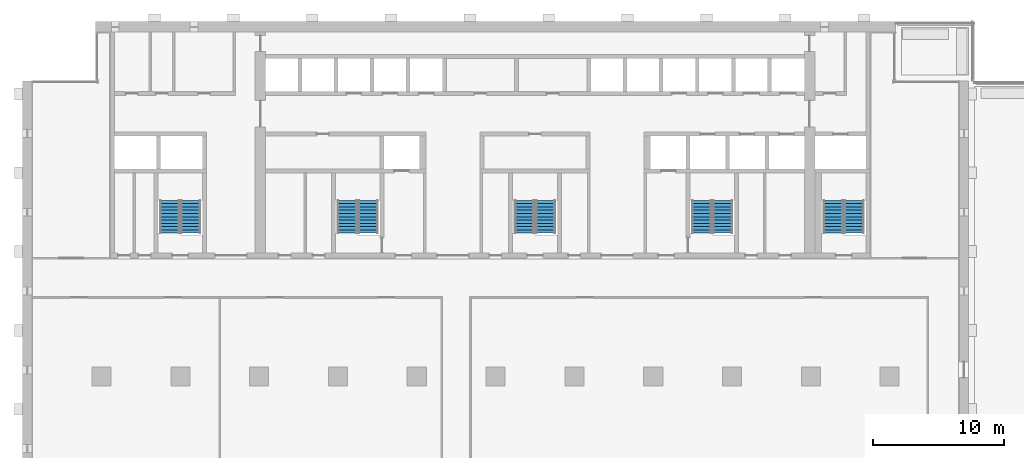
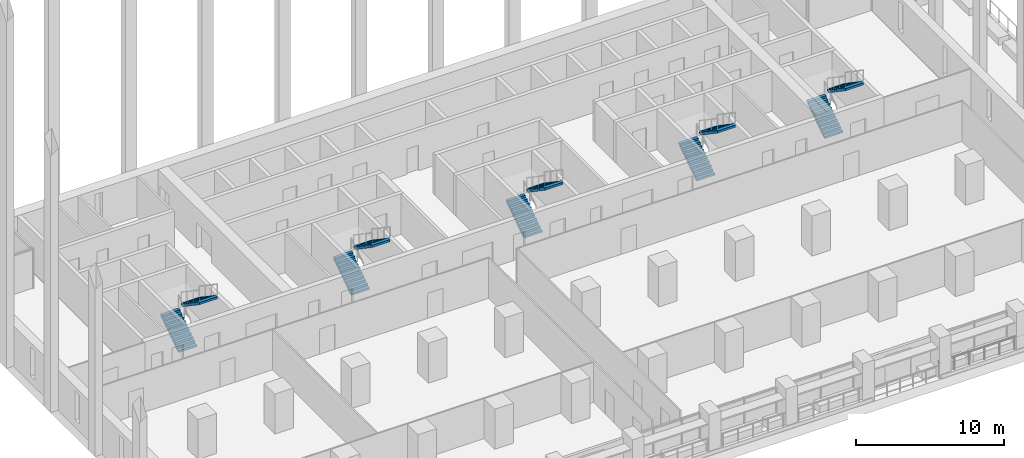
# One storey, part 12 of 18: 10 stair flights, 5 elements without a shape of their own.
"""IFC4 building model written with IfcOpenShell, lengths in metres."""

import ifcopenshell
import ifcopenshell.guid

model = None  # the IFC model being written
_history = None  # IfcOwnerHistory: only IFC2X3 demands one
_inside = {}  # id of a spatial element -> (the spatial element, [elements in it])
_under = {}  # id of a project, library or spatial element -> (it, [spatial elements below it])
_declared = {}  # id of a project -> (the project, [libraries it declares])
_typed = {}  # id of a type object -> (the type object, [elements of that type])
_made_of = {}  # id of a material, layer set ... -> (it, [elements and type objects made of it])


def new_model(schema):
    """Start an empty IFC model of exactly this schema.

    Asked for "IFC4X3", IfcOpenShell would pick the latest addendum, in which some entities
    have other attributes; the version numbers below select the first issue.
    IFC2X3 requires an IfcOwnerHistory on every rooted entity: one is made here for all.
    """
    global model, _history
    if schema == "IFC4X3":
        model = ifcopenshell.file(schema_version=(4, 3, 0, 0))
    else:
        model = ifcopenshell.file(schema=schema)
    _inside.clear()
    _under.clear()
    _declared.clear()
    _typed.clear()
    _made_of.clear()
    _history = None
    if model.schema == "IFC2X3":
        org = make("IfcOrganization", Name="unknown")
        user = make(
            "IfcPersonAndOrganization",
            ThePerson=make("IfcPerson", FamilyName="unknown"),
            TheOrganization=org,
        )
        app = make(
            "IfcApplication",
            ApplicationDeveloper=org,
            Version="unknown",
            ApplicationFullName="unknown",
            ApplicationIdentifier="unknown",
        )
        _history = make(
            "IfcOwnerHistory",
            OwningUser=user,
            OwningApplication=app,
            ChangeAction="ADDED",
            CreationDate=0,
        )
    return model


def make(cls, **values):
    """One entity of the class cls with the attributes given. An attribute that is None is left unset."""
    return model.create_entity(
        cls, **{name: value for name, value in values.items() if value is not None}
    )


def rooted(cls, **values):
    """An entity with a GlobalId (a new one), such as an element, a storey or a relation."""
    return make(cls, GlobalId=ifcopenshell.guid.new(), OwnerHistory=_history, **values)


def si_unit(unit_type, name, prefix=None):
    """IfcSIUnit, for example si_unit("LENGTHUNIT", "METRE", prefix="MILLI")."""
    return make("IfcSIUnit", UnitType=unit_type, Prefix=prefix, Name=name)


def assignment(units):
    """IfcUnitAssignment: the units of a project."""
    return None if units is None else make("IfcUnitAssignment", Units=units)


def point(xyz):
    """IfcCartesianPoint."""
    return None if xyz is None else make("IfcCartesianPoint", Coordinates=xyz)


def direction(xyz):
    """IfcDirection."""
    return None if xyz is None else make("IfcDirection", DirectionRatios=xyz)


def frame(location, z_axis=None, x_axis=None):
    """IfcAxis2Placement3D, a coordinate frame: its origin and axes. An axis left out is left unset."""
    return make(
        "IfcAxis2Placement3D",
        Location=point(location),
        Axis=direction(z_axis),
        RefDirection=direction(x_axis),
    )


def origin():
    """The frame at (0, 0, 0) with its axes left unset."""
    return frame((0.0, 0.0, 0.0))


def place(relative_to, where):
    """IfcLocalPlacement: puts the frame where relative to a parent placement (None: the world)."""
    return make(
        "IfcLocalPlacement", PlacementRelTo=relative_to, RelativePlacement=where
    )


def context(
    kind, dimensions, precision=None, world=None, true_north=None, identifier=None
):
    """IfcGeometricRepresentationContext, for example the 3D "Model" context."""
    return make(
        "IfcGeometricRepresentationContext",
        ContextIdentifier=identifier,
        ContextType=kind,
        CoordinateSpaceDimension=dimensions,
        Precision=precision,
        WorldCoordinateSystem=world,
        TrueNorth=true_north,
    )


def subcontext(parent, identifier, kind, view, scale=None):
    """IfcGeometricRepresentationSubContext, for example "Body" below "Model"."""
    return make(
        "IfcGeometricRepresentationSubContext",
        ContextIdentifier=identifier,
        ContextType=kind,
        ParentContext=parent,
        TargetScale=scale,
        TargetView=view,
    )


def project(units=None, contexts=None):
    """IfcProject with its units and contexts."""
    return rooted(
        "IfcProject",
        Name="project",
        RepresentationContexts=contexts,
        UnitsInContext=assignment(units),
    )


def spatial(cls, under=None, at=None, **own):
    """A site, building, storey or space (cls), placed at a placement, below another one or the project."""
    s = rooted(cls, ObjectPlacement=at, **own)
    if under is not None:
        _under.setdefault(under.id(), (under, []))[1].append(s)
    return s


def polyline(points):
    """IfcPolyline through the points."""
    return make("IfcPolyline", Points=[point(p) for p in points])


def outline(outer, holes=None, kind="AREA"):
    """IfcArbitraryClosedProfileDef: a profile drawn as a closed curve; with holes, ...WithVoids."""
    if holes is None:
        return make("IfcArbitraryClosedProfileDef", ProfileType=kind, OuterCurve=outer)
    return make(
        "IfcArbitraryProfileDefWithVoids",
        ProfileType=kind,
        OuterCurve=outer,
        InnerCurves=holes,
    )


def extrude(swept, where, along, depth):
    """IfcExtrudedAreaSolid: the profile swept, set in the frame where, extruded along a direction by depth."""
    return make(
        "IfcExtrudedAreaSolid",
        SweptArea=swept,
        Position=where,
        ExtrudedDirection=direction(along),
        Depth=depth,
    )


def shape(context_of_items, identifier, shape_type, items):
    """IfcShapeRepresentation: the items that make up one representation, for example the "Body"."""
    return make(
        "IfcShapeRepresentation",
        ContextOfItems=context_of_items,
        RepresentationIdentifier=identifier,
        RepresentationType=shape_type,
        Items=items,
    )


def material(Name=None, Category=None):
    """IfcMaterial."""
    return make("IfcMaterial", Name=Name, Category=Category)


def made_of(thing, what):
    """Note that an element or type object is made of a material, layer set ...; save() writes the relation."""
    if what is not None:
        _made_of.setdefault(what.id(), (what, []))[1].append(thing)
    return thing


def type_object(cls, material=None, **own):
    """A type object (cls), such as IfcWallType, which elements share."""
    return made_of(rooted(cls, **own), material)


def element(
    cls,
    number,
    at=None,
    inside=None,
    cuts=None,
    type_object=None,
    material=None,
    context=None,
    identifier="Body",
    shape_type=None,
    held_by="IfcProductDefinitionShape",
    body=None,
    shapes=None,
    **own,
):
    """One element of the class cls, such as IfcWall. Its Tag is "e" and its number.

    at: its placement. inside: the storey or other place that contains it. cuts: it is an
    opening in that element (IfcRelVoidsElement). A single representation is given by context,
    identifier, shape_type and body (its items); several are given by shapes. held_by: the class
    of the entity that holds the representations. save() writes the other relations.
    """
    e = rooted(cls, Tag="e%d" % number, ObjectPlacement=at, **own)
    if body is not None:
        shapes = [shape(context, identifier, shape_type, body)]
    if shapes is not None:
        e.Representation = make(held_by, Representations=shapes)
    if inside is not None:
        _inside.setdefault(inside.id(), (inside, []))[1].append(e)
    if cuts is not None:
        rooted(
            "IfcRelVoidsElement", RelatingBuildingElement=cuts, RelatedOpeningElement=e
        )
    if type_object is not None:
        _typed.setdefault(type_object.id(), (type_object, []))[1].append(e)
    return made_of(e, material)


def aggregate(whole, parts):
    """IfcRelAggregates: a whole, such as a stair, and the parts it consists of."""
    return rooted("IfcRelAggregates", RelatingObject=whole, RelatedObjects=parts)


def save(model, path):
    """Write the relations noted so far, then the file.

    IfcRelAggregates (storeys below a building ...), IfcRelContainedInSpatialStructure (elements
    in a storey), IfcRelDefinesByType, IfcRelAssociatesMaterial and IfcRelDeclares: one each for
    every whole, place, type object, material and project.
    """
    for whole, parts in _under.values():
        aggregate(whole, parts)
    for where, things in _inside.values():
        rooted(
            "IfcRelContainedInSpatialStructure",
            RelatedElements=things,
            RelatingStructure=where,
        )
    for kind, things in _typed.values():
        rooted("IfcRelDefinesByType", RelatedObjects=things, RelatingType=kind)
    for what, things in _made_of.values():
        rooted("IfcRelAssociatesMaterial", RelatedObjects=things, RelatingMaterial=what)
    for by, libraries in _declared.values():
        rooted("IfcRelDeclares", RelatingContext=by, RelatedDefinitions=libraries)
    model.write(path)


model = new_model("IFC4")

# Units and contexts
model_context = context("Model", 3, precision=1e-05, world=origin(), true_north=direction((0.0, 1.0)))
body_context = subcontext(model_context, "Body", "Model", "MODEL_VIEW")
ifc_project = project(units=[si_unit("LENGTHUNIT", "METRE"), si_unit("AREAUNIT", "SQUARE_METRE"), si_unit("VOLUMEUNIT", "CUBIC_METRE"), si_unit("PLANEANGLEUNIT", "RADIAN"), si_unit("MASSUNIT", "GRAM", prefix="KILO")], contexts=[model_context])

# Site, building, storey
site_placement = place(None, origin())
site = spatial("IfcSite", under=ifc_project, at=site_placement, CompositionType="ELEMENT")
building_placement = place(site_placement, origin())
building = spatial("IfcBuilding", under=site, at=building_placement, Name="Calvaro Tower", CompositionType="ELEMENT")
storey_placement = place(building_placement, frame((0.0, 0.0, 95.0)))
storey = spatial("IfcBuildingStorey", under=building, at=storey_placement, Name="L23", CompositionType="ELEMENT", Elevation=95.0)

# Stair, stair flights
ifc_material_1 = material(Name="Concrete C40/50", Category="concrete")
stair_type = type_object("IfcStairType", Name="Exit stair 1400 2 flights", PredefinedType="HALF_TURN_STAIR", material=ifc_material_1)
stair_1_placement = place(storey_placement, origin())
stair_1 = element("IfcStair", 1, at=stair_1_placement, inside=storey, type_object=stair_type, Name="Exit stair S1", PredefinedType="HALF_TURN_STAIR")
ifc_material_2 = material(Name="Concrete C40/50", Category="concrete")
stair_flight_type = type_object("IfcStairFlightType", Name="Stair flight", PredefinedType="STRAIGHT", material=ifc_material_2)
stair_flight_1_placement = place(storey_placement, frame((11.199951171875, 29.89990234375, 0.0), z_axis=(0.0, 0.0, 1.0), x_axis=(0.0, 1.0, 0.0)))
stair_flight_1 = element("IfcStairFlight", 2, at=stair_flight_1_placement, type_object=stair_flight_type, Name="Exit stair 1, flight 1", NumberOfRisers=11, NumberOfTreads=10, PredefinedType="STRAIGHT", RiserHeight=0.170454545, TreadLength=0.25, context=body_context, shape_type="SweptSolid", body=[
    extrude(outline(polyline([(0.0, 0.0), (0.0, 0.17041015625), (0.25, 0.17041015625), (0.25, 0.3408203125), (0.5, 0.3408203125), (0.5, 0.511474609375), (0.75, 0.511474609375), (0.75, 0.681884765625), (1.0, 0.681884765625), (1.0, 0.852294921875), (1.25, 0.852294921875), (1.25, 1.022705078125), (1.5, 1.022705078125), (1.5, 1.193115234375), (1.75, 1.193115234375), (1.75, 1.363525390625), (2.0, 1.363525390625), (2.0, 1.5341796875), (2.25, 1.5341796875), (2.25, 1.70458984375), (2.5, 1.70458984375), (2.5, 1.875), (2.5, 1.523193359375), (0.26611328125, 0.0), (0.0, 0.0)])), frame((0.0, 0.699951171875, 0.0), z_axis=(0.0, -1.0, 0.0), x_axis=(1.0, 0.0, 0.0)), (0.0, 0.0, 1.0), 1.39990234375),
])
stair_flight_2_placement = place(storey_placement, frame((12.800048828125, 32.39990234375, 1.875), z_axis=(0.0, 0.0, 1.0), x_axis=(0.0, -1.0, 0.0)))
stair_flight_2 = element("IfcStairFlight", 3, at=stair_flight_2_placement, type_object=stair_flight_type, Name="Exit stair 1, flight 2", NumberOfRisers=11, NumberOfTreads=10, PredefinedType="STRAIGHT", RiserHeight=0.170454545, TreadLength=0.25, context=body_context, shape_type="SweptSolid", body=[
    extrude(outline(polyline([(0.0, 0.0), (0.0, 0.17041015625), (0.25, 0.17041015625), (0.25, 0.3408203125), (0.5, 0.3408203125), (0.5, 0.511474609375), (0.75, 0.511474609375), (0.75, 0.681884765625), (1.0, 0.681884765625), (1.0, 0.852294921875), (1.25, 0.852294921875), (1.25, 1.022705078125), (1.5, 1.022705078125), (1.5, 1.193115234375), (1.75, 1.193115234375), (1.75, 1.363525390625), (2.0, 1.363525390625), (2.0, 1.5341796875), (2.25, 1.5341796875), (2.25, 1.70458984375), (2.5, 1.70458984375), (2.5, 1.875), (2.5, 1.523193359375), (0.26611328125, 0.0), (0.0, 0.0)])), frame((0.0, 0.699951171875, 0.0), z_axis=(0.0, -1.0, 0.0), x_axis=(1.0, 0.0, 0.0)), (0.0, 0.0, 1.0), 1.39990234375),
])
aggregate(stair_1, [stair_flight_1, stair_flight_2])

stair_2_placement = place(storey_placement, origin())
stair_2 = element("IfcStair", 4, at=stair_2_placement, inside=storey, type_object=stair_type, Name="Exit stair S2", PredefinedType="HALF_TURN_STAIR")
stair_flight_3_placement = place(storey_placement, frame((24.699951171875, 29.89990234375, 0.0), z_axis=(0.0, 0.0, 1.0), x_axis=(0.0, 1.0, 0.0)))
stair_flight_3 = element("IfcStairFlight", 5, at=stair_flight_3_placement, type_object=stair_flight_type, Name="Exit stair 2, flight 1", NumberOfRisers=11, NumberOfTreads=10, PredefinedType="STRAIGHT", RiserHeight=0.170454545, TreadLength=0.25, context=body_context, shape_type="SweptSolid", body=[
    extrude(outline(polyline([(0.0, 0.0), (0.0, 0.17041015625), (0.25, 0.17041015625), (0.25, 0.3408203125), (0.5, 0.3408203125), (0.5, 0.511474609375), (0.75, 0.511474609375), (0.75, 0.681884765625), (1.0, 0.681884765625), (1.0, 0.852294921875), (1.25, 0.852294921875), (1.25, 1.022705078125), (1.5, 1.022705078125), (1.5, 1.193115234375), (1.75, 1.193115234375), (1.75, 1.363525390625), (2.0, 1.363525390625), (2.0, 1.5341796875), (2.25, 1.5341796875), (2.25, 1.70458984375), (2.5, 1.70458984375), (2.5, 1.875), (2.5, 1.523193359375), (0.26611328125, 0.0), (0.0, 0.0)])), frame((0.0, 0.699951171875, 0.0), z_axis=(0.0, -1.0, 0.0), x_axis=(1.0, 0.0, 0.0)), (0.0, 0.0, 1.0), 1.39990234375),
])
stair_flight_4_placement = place(storey_placement, frame((26.300048828125, 32.39990234375, 1.875), z_axis=(0.0, 0.0, 1.0), x_axis=(0.0, -1.0, 0.0)))
stair_flight_4 = element("IfcStairFlight", 6, at=stair_flight_4_placement, type_object=stair_flight_type, Name="Exit stair 2, flight 2", NumberOfRisers=11, NumberOfTreads=10, PredefinedType="STRAIGHT", RiserHeight=0.170454545, TreadLength=0.25, context=body_context, shape_type="SweptSolid", body=[
    extrude(outline(polyline([(0.0, 0.0), (0.0, 0.17041015625), (0.25, 0.17041015625), (0.25, 0.3408203125), (0.5, 0.3408203125), (0.5, 0.511474609375), (0.75, 0.511474609375), (0.75, 0.681884765625), (1.0, 0.681884765625), (1.0, 0.852294921875), (1.25, 0.852294921875), (1.25, 1.022705078125), (1.5, 1.022705078125), (1.5, 1.193115234375), (1.75, 1.193115234375), (1.75, 1.363525390625), (2.0, 1.363525390625), (2.0, 1.5341796875), (2.25, 1.5341796875), (2.25, 1.70458984375), (2.5, 1.70458984375), (2.5, 1.875), (2.5, 1.523193359375), (0.26611328125, 0.0), (0.0, 0.0)])), frame((0.0, 0.699951171875, 0.0), z_axis=(0.0, -1.0, 0.0), x_axis=(1.0, 0.0, 0.0)), (0.0, 0.0, 1.0), 1.39990234375),
])
aggregate(stair_2, [stair_flight_3, stair_flight_4])

stair_3_placement = place(storey_placement, origin())
stair_3 = element("IfcStair", 7, at=stair_3_placement, inside=storey, type_object=stair_type, Name="Exit stair S3", PredefinedType="HALF_TURN_STAIR")
stair_flight_5_placement = place(storey_placement, frame((38.199951171875, 29.89990234375, 0.0), z_axis=(0.0, 0.0, 1.0), x_axis=(0.0, 1.0, 0.0)))
stair_flight_5 = element("IfcStairFlight", 8, at=stair_flight_5_placement, type_object=stair_flight_type, Name="Exit stair 3, flight 1", NumberOfRisers=11, NumberOfTreads=10, PredefinedType="STRAIGHT", RiserHeight=0.170454545, TreadLength=0.25, context=body_context, shape_type="SweptSolid", body=[
    extrude(outline(polyline([(0.0, 0.0), (0.0, 0.17041015625), (0.25, 0.17041015625), (0.25, 0.3408203125), (0.5, 0.3408203125), (0.5, 0.511474609375), (0.75, 0.511474609375), (0.75, 0.681884765625), (1.0, 0.681884765625), (1.0, 0.852294921875), (1.25, 0.852294921875), (1.25, 1.022705078125), (1.5, 1.022705078125), (1.5, 1.193115234375), (1.75, 1.193115234375), (1.75, 1.363525390625), (2.0, 1.363525390625), (2.0, 1.5341796875), (2.25, 1.5341796875), (2.25, 1.70458984375), (2.5, 1.70458984375), (2.5, 1.875), (2.5, 1.523193359375), (0.26611328125, 0.0), (0.0, 0.0)])), frame((0.0, 0.699951171875, 0.0), z_axis=(0.0, -1.0, 0.0), x_axis=(1.0, 0.0, 0.0)), (0.0, 0.0, 1.0), 1.39990234375),
])
stair_flight_6_placement = place(storey_placement, frame((39.800048828125, 32.39990234375, 1.875), z_axis=(0.0, 0.0, 1.0), x_axis=(0.0, -1.0, 0.0)))
stair_flight_6 = element("IfcStairFlight", 9, at=stair_flight_6_placement, type_object=stair_flight_type, Name="Exit stair 3, flight 2", NumberOfRisers=11, NumberOfTreads=10, PredefinedType="STRAIGHT", RiserHeight=0.170454545, TreadLength=0.25, context=body_context, shape_type="SweptSolid", body=[
    extrude(outline(polyline([(0.0, 0.0), (0.0, 0.17041015625), (0.25, 0.17041015625), (0.25, 0.3408203125), (0.5, 0.3408203125), (0.5, 0.511474609375), (0.75, 0.511474609375), (0.75, 0.681884765625), (1.0, 0.681884765625), (1.0, 0.852294921875), (1.25, 0.852294921875), (1.25, 1.022705078125), (1.5, 1.022705078125), (1.5, 1.193115234375), (1.75, 1.193115234375), (1.75, 1.363525390625), (2.0, 1.363525390625), (2.0, 1.5341796875), (2.25, 1.5341796875), (2.25, 1.70458984375), (2.5, 1.70458984375), (2.5, 1.875), (2.5, 1.523193359375), (0.26611328125, 0.0), (0.0, 0.0)])), frame((0.0, 0.699951171875, 0.0), z_axis=(0.0, -1.0, 0.0), x_axis=(1.0, 0.0, 0.0)), (0.0, 0.0, 1.0), 1.39990234375),
])
aggregate(stair_3, [stair_flight_5, stair_flight_6])

stair_4_placement = place(storey_placement, origin())
stair_4 = element("IfcStair", 10, at=stair_4_placement, inside=storey, type_object=stair_type, Name="Exit stair S4", PredefinedType="HALF_TURN_STAIR")
stair_flight_7_placement = place(storey_placement, frame((51.699951171875, 29.89990234375, 0.0), z_axis=(0.0, 0.0, 1.0), x_axis=(0.0, 1.0, 0.0)))
stair_flight_7 = element("IfcStairFlight", 11, at=stair_flight_7_placement, type_object=stair_flight_type, Name="Exit stair 4, flight 1", NumberOfRisers=11, NumberOfTreads=10, PredefinedType="STRAIGHT", RiserHeight=0.170454545, TreadLength=0.25, context=body_context, shape_type="SweptSolid", body=[
    extrude(outline(polyline([(0.0, 0.0), (0.0, 0.17041015625), (0.25, 0.17041015625), (0.25, 0.3408203125), (0.5, 0.3408203125), (0.5, 0.511474609375), (0.75, 0.511474609375), (0.75, 0.681884765625), (1.0, 0.681884765625), (1.0, 0.852294921875), (1.25, 0.852294921875), (1.25, 1.022705078125), (1.5, 1.022705078125), (1.5, 1.193115234375), (1.75, 1.193115234375), (1.75, 1.363525390625), (2.0, 1.363525390625), (2.0, 1.5341796875), (2.25, 1.5341796875), (2.25, 1.70458984375), (2.5, 1.70458984375), (2.5, 1.875), (2.5, 1.523193359375), (0.26611328125, 0.0), (0.0, 0.0)])), frame((0.0, 0.699951171875, 0.0), z_axis=(0.0, -1.0, 0.0), x_axis=(1.0, 0.0, 0.0)), (0.0, 0.0, 1.0), 1.39990234375),
])
stair_flight_8_placement = place(storey_placement, frame((53.300048828125, 32.39990234375, 1.875), z_axis=(0.0, 0.0, 1.0), x_axis=(0.0, -1.0, 0.0)))
stair_flight_8 = element("IfcStairFlight", 12, at=stair_flight_8_placement, type_object=stair_flight_type, Name="Exit stair 4, flight 2", NumberOfRisers=11, NumberOfTreads=10, PredefinedType="STRAIGHT", RiserHeight=0.170454545, TreadLength=0.25, context=body_context, shape_type="SweptSolid", body=[
    extrude(outline(polyline([(0.0, 0.0), (0.0, 0.17041015625), (0.25, 0.17041015625), (0.25, 0.3408203125), (0.5, 0.3408203125), (0.5, 0.511474609375), (0.75, 0.511474609375), (0.75, 0.681884765625), (1.0, 0.681884765625), (1.0, 0.852294921875), (1.25, 0.852294921875), (1.25, 1.022705078125), (1.5, 1.022705078125), (1.5, 1.193115234375), (1.75, 1.193115234375), (1.75, 1.363525390625), (2.0, 1.363525390625), (2.0, 1.5341796875), (2.25, 1.5341796875), (2.25, 1.70458984375), (2.5, 1.70458984375), (2.5, 1.875), (2.5, 1.523193359375), (0.26611328125, 0.0), (0.0, 0.0)])), frame((0.0, 0.699951171875, 0.0), z_axis=(0.0, -1.0, 0.0), x_axis=(1.0, 0.0, 0.0)), (0.0, 0.0, 1.0), 1.39990234375),
])
aggregate(stair_4, [stair_flight_7, stair_flight_8])

stair_5_placement = place(storey_placement, origin())
stair_5 = element("IfcStair", 13, at=stair_5_placement, inside=storey, type_object=stair_type, Name="Exit stair S5", PredefinedType="HALF_TURN_STAIR")
stair_flight_9_placement = place(storey_placement, frame((61.699951171875, 29.89990234375, 0.0), z_axis=(0.0, 0.0, 1.0), x_axis=(0.0, 1.0, 0.0)))
stair_flight_9 = element("IfcStairFlight", 14, at=stair_flight_9_placement, type_object=stair_flight_type, Name="Exit stair 5, flight 1", NumberOfRisers=11, NumberOfTreads=10, PredefinedType="STRAIGHT", RiserHeight=0.170454545, TreadLength=0.25, context=body_context, shape_type="SweptSolid", body=[
    extrude(outline(polyline([(0.0, 0.0), (0.0, 0.17041015625), (0.25, 0.17041015625), (0.25, 0.3408203125), (0.5, 0.3408203125), (0.5, 0.511474609375), (0.75, 0.511474609375), (0.75, 0.681884765625), (1.0, 0.681884765625), (1.0, 0.852294921875), (1.25, 0.852294921875), (1.25, 1.022705078125), (1.5, 1.022705078125), (1.5, 1.193115234375), (1.75, 1.193115234375), (1.75, 1.363525390625), (2.0, 1.363525390625), (2.0, 1.5341796875), (2.25, 1.5341796875), (2.25, 1.70458984375), (2.5, 1.70458984375), (2.5, 1.875), (2.5, 1.523193359375), (0.26611328125, 0.0), (0.0, 0.0)])), frame((0.0, 0.699951171875, 0.0), z_axis=(0.0, -1.0, 0.0), x_axis=(1.0, 0.0, 0.0)), (0.0, 0.0, 1.0), 1.39990234375),
])
stair_flight_10_placement = place(storey_placement, frame((63.300048828125, 32.39990234375, 1.875), z_axis=(0.0, 0.0, 1.0), x_axis=(0.0, -1.0, 0.0)))
stair_flight_10 = element("IfcStairFlight", 15, at=stair_flight_10_placement, type_object=stair_flight_type, Name="Exit stair 5, flight 2", NumberOfRisers=11, NumberOfTreads=10, PredefinedType="STRAIGHT", RiserHeight=0.170454545, TreadLength=0.25, context=body_context, shape_type="SweptSolid", body=[
    extrude(outline(polyline([(0.0, 0.0), (0.0, 0.17041015625), (0.25, 0.17041015625), (0.25, 0.3408203125), (0.5, 0.3408203125), (0.5, 0.511474609375), (0.75, 0.511474609375), (0.75, 0.681884765625), (1.0, 0.681884765625), (1.0, 0.852294921875), (1.25, 0.852294921875), (1.25, 1.022705078125), (1.5, 1.022705078125), (1.5, 1.193115234375), (1.75, 1.193115234375), (1.75, 1.363525390625), (2.0, 1.363525390625), (2.0, 1.5341796875), (2.25, 1.5341796875), (2.25, 1.70458984375), (2.5, 1.70458984375), (2.5, 1.875), (2.5, 1.523193359375), (0.26611328125, 0.0), (0.0, 0.0)])), frame((0.0, 0.699951171875, 0.0), z_axis=(0.0, -1.0, 0.0), x_axis=(1.0, 0.0, 0.0)), (0.0, 0.0, 1.0), 1.39990234375),
])
aggregate(stair_5, [stair_flight_9, stair_flight_10])

save(model, "model.ifc")
